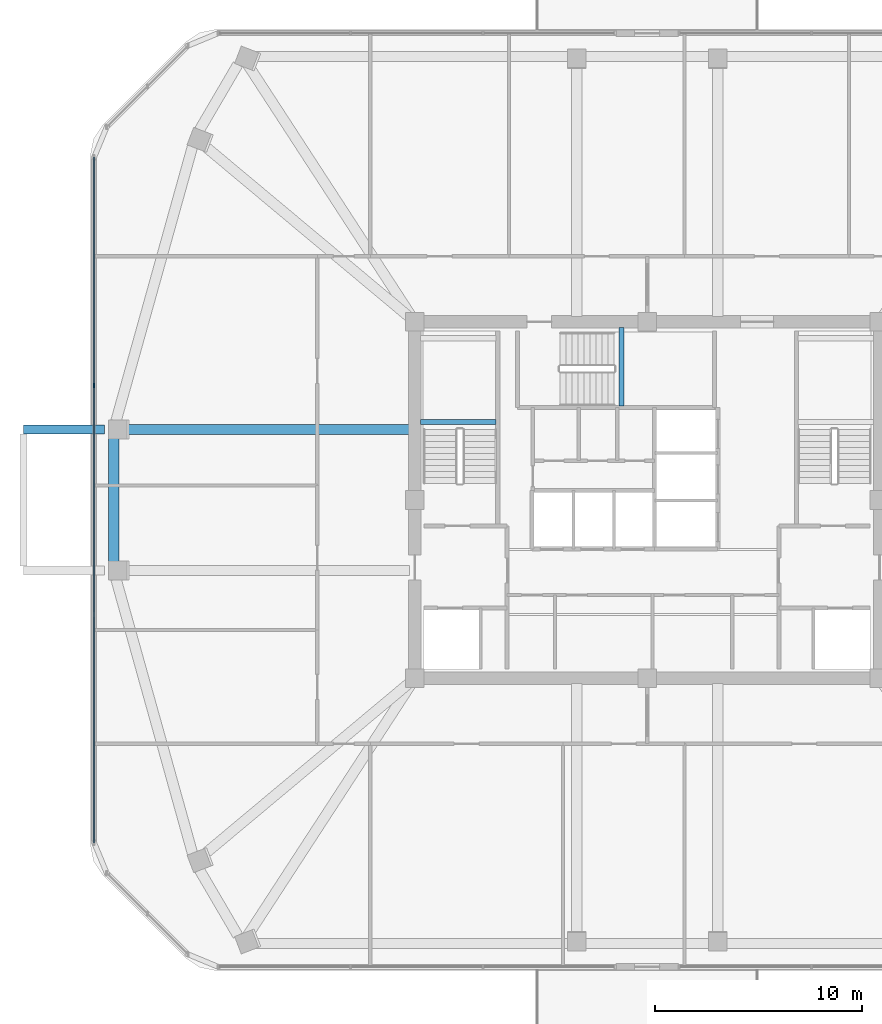
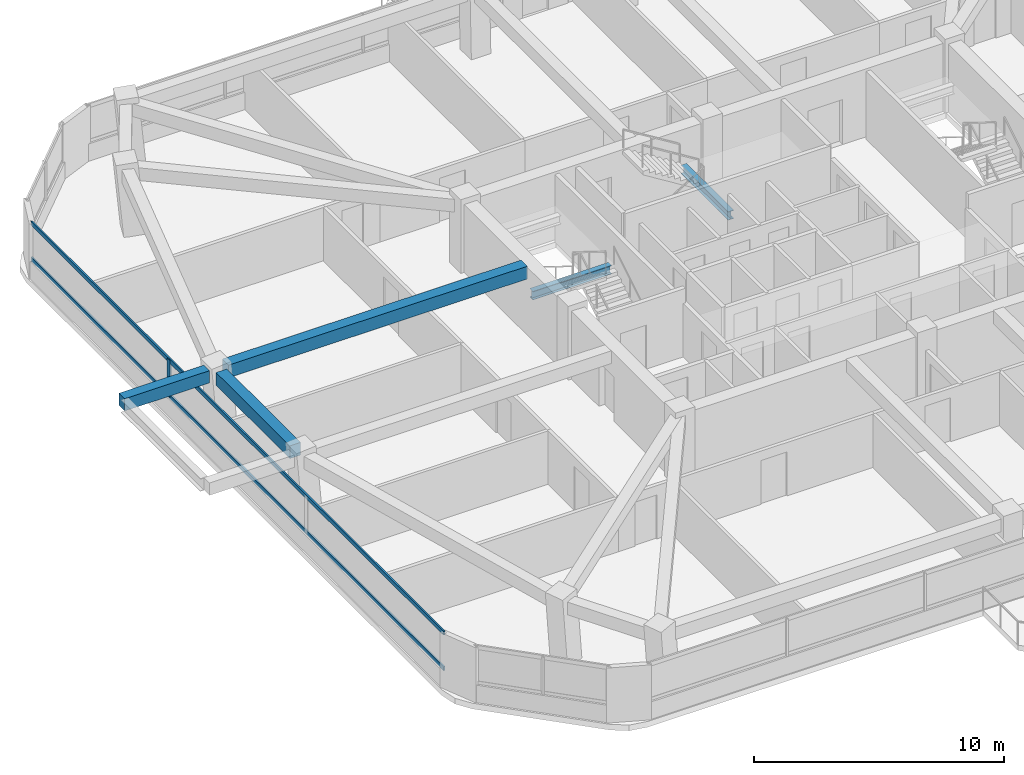
# One storey, part 3 of 13: 5 beams, 3 members, 1 element without a shape of its own.
"""IFC4 building model written with IfcOpenShell, lengths in metres."""

from ifc_helpers import new_model, si_unit, derived_unit, direction, frame, origin, origin_2d, place, context, subcontext, project, spatial, rectangle, i_section, extrude, material, material_profile, profile_set, type_object, element, aggregate, save


model = new_model("IFC4")

# Units and contexts
model_context = context("Model", 3, precision=1e-05, world=origin(), true_north=direction((0.0, 1.0)))
body_context = subcontext(model_context, "Body", "Model", "MODEL_VIEW")
ifc_project = project(units=[si_unit("LENGTHUNIT", "METRE"), si_unit("AREAUNIT", "SQUARE_METRE"), si_unit("VOLUMEUNIT", "CUBIC_METRE"), si_unit("PLANEANGLEUNIT", "RADIAN"), si_unit("MASSUNIT", "GRAM", prefix="KILO"), derived_unit("THERMALTRANSMITTANCEUNIT", [(si_unit("POWERUNIT", "WATT"), 1), (si_unit("LENGTHUNIT", "METRE"), -2), (si_unit("THERMODYNAMICTEMPERATUREUNIT", "KELVIN"), -1)])], contexts=[model_context])

# Site, building, storey
site_placement = place(None, origin())
site = spatial("IfcSite", under=ifc_project, at=site_placement, CompositionType="ELEMENT")
building_placement = place(site_placement, origin())
building = spatial("IfcBuilding", under=site, at=building_placement, Name="Koralith Skygarden Medical Center", CompositionType="ELEMENT")
storey_placement = place(building_placement, frame((0.0, 0.0, 217.97998046875)))
storey = spatial("IfcBuildingStorey", under=building, at=storey_placement, Name="L56", CompositionType="ELEMENT", Elevation=217.97998046875)

# Curtain wall, members
ifc_material_1 = material(Name="Clear Laminated Glass", Category="glass")
curtain_wall_type = type_object("IfcCurtainWallType", Name="CW-5 Zone 4 Flare Biophilic Curtain Wall", PredefinedType="NOTDEFINED", material=ifc_material_1)
curtain_wall_placement = place(storey_placement, origin())
curtain_wall = element("IfcCurtainWall", 1, at=curtain_wall_placement, inside=storey, type_object=curtain_wall_type, Name="Curtain Wall CW-L56-W", PredefinedType="NOTDEFINED")
ifc_material_2 = material(Name="Aluminium 6063-T6", Category="aluminium")
ifc_material_profile_1 = material_profile(ifc_material_2, rectangle(XDim=0.080078125, YDim=0.219970703125, at=origin_2d()), Name="MUL80X220")
ifc_profile_set_1 = profile_set([ifc_material_profile_1], Name="Aluminium 6063-T6")
member_type_1 = type_object("IfcMemberType", Name="CW-5 Extruded Mullion 80x220", PredefinedType="MULLION", material=ifc_profile_set_1)
member_1_placement = place(storey_placement, frame((10.340087890625, 31.409912109375, 0.85009765625), z_axis=(0.0, 0.0, 1.0), x_axis=(1.0, 0.0, 0.0)))
member_1 = element("IfcMember", 2, at=member_1_placement, type_object=member_type_1, Name="CW-L56-W Mullion 2", PredefinedType="MULLION", context=body_context, shape_type="SweptSolid", body=[
    extrude(rectangle(XDim=0.080078125, YDim=0.219970703125, at=origin_2d()), origin(), (0.0, 0.0, 1.0), 1.83984375),
])
ifc_material_profile_2 = material_profile(ifc_material_2, rectangle(XDim=0.074951171875, YDim=0.197998046875, at=origin_2d()), Name="TRN75X198")
ifc_profile_set_2 = profile_set([ifc_material_profile_2], Name="Aluminium 6063-T6")
member_type_2 = type_object("IfcMemberType", Name="CW-5 Thermal Transom 75x198", PredefinedType="USERDEFINED", material=ifc_profile_set_2)
member_2_placement = place(storey_placement, frame((10.340087890625, 42.428955078125, 0.89990234375), z_axis=(0.0, -1.0, 0.0), x_axis=(1.0, 0.0, 0.0)))
member_2 = element("IfcMember", 3, at=member_2_placement, type_object=member_type_2, Name="CW-L56-W Transom 1", ObjectType="TRANSOM", PredefinedType="USERDEFINED", context=body_context, shape_type="SweptSolid", body=[
    extrude(rectangle(XDim=0.074951171875, YDim=0.197998046875, at=origin_2d()), origin(), (0.0, 0.0, 1.0), 33.057861328125),
])
member_3_placement = place(storey_placement, frame((10.340087890625, 42.428955078125, 2.64013671875), z_axis=(0.0, -1.0, 0.0), x_axis=(1.0, 0.0, 0.0)))
member_3 = element("IfcMember", 4, at=member_3_placement, type_object=member_type_2, Name="CW-L56-W Transom 2", ObjectType="TRANSOM", PredefinedType="USERDEFINED", context=body_context, shape_type="SweptSolid", body=[
    extrude(rectangle(XDim=0.074951171875, YDim=0.197998046875, at=origin_2d()), origin(), (0.0, 0.0, 1.0), 33.057861328125),
])
aggregate(curtain_wall, [member_1, member_2, member_3])

# Beams
ifc_material_3 = material(Name="Steel ASTM A992 Grade 50", Category="steel")
ifc_material_profile_3 = material_profile(ifc_material_3, i_section(OverallWidth=0.260009765625, OverallDepth=0.4150390625, WebThickness=0.010009765625, FlangeThickness=0.016845703125, at=origin_2d()), Name="W16X67")
ifc_profile_set_3 = profile_set([ifc_material_profile_3], Name="Steel ASTM A992 Grade 50")
beam_type_1 = type_object("IfcBeamType", Name="Clinical Floor Joist W16X67", PredefinedType="JOIST", material=ifc_profile_set_3)
beam_1_placement = place(storey_placement, frame((26.080078125, 29.659912109375, 1.39306640625), z_axis=(1.0, 0.0, 0.0), x_axis=(0.0, 1.0, 0.0)))
element("IfcBeam", 5, at=beam_1_placement, inside=storey, type_object=beam_type_1, Name="L56 Stair ST1 Half-Landing Support Beam 1A", PredefinedType="JOIST", context=body_context, shape_type="SweptSolid", body=[
    extrude(i_section(OverallWidth=0.260009765625, OverallDepth=0.4150390625, WebThickness=0.010009765625, FlangeThickness=0.016845703125, at=origin_2d()), origin(), (0.0, 0.0, 1.0), 3.639892578125),
])
beam_2_placement = place(storey_placement, frame((35.760009765625, 30.43994140625, 1.39306640625), z_axis=(0.0, 1.0, 0.0), x_axis=(-1.0, 0.0, 0.0)))
element("IfcBeam", 6, at=beam_2_placement, inside=storey, type_object=beam_type_1, Name="L56 Stair ST3 Half-Landing Support Beam 1A", PredefinedType="JOIST", context=body_context, shape_type="SweptSolid", body=[
    extrude(i_section(OverallWidth=0.260009765625, OverallDepth=0.4150390625, WebThickness=0.010009765625, FlangeThickness=0.016845703125, at=origin_2d()), origin(), (0.0, 0.0, 1.0), 3.780029296875),
])
ifc_material_4 = material(Name="Concrete C45/55", Category="concrete")
ifc_material_profile_4 = material_profile(ifc_material_4, rectangle(XDim=0.449951171875, YDim=0.60009765625, at=origin_2d()), Name="RCB450X600")
ifc_profile_set_4 = profile_set([ifc_material_profile_4], Name="Concrete C45/55")
beam_type_2 = type_object("IfcBeamType", Name="Planted Balcony Cantilever Beam RCB450X600", PredefinedType="BEAM", material=ifc_profile_set_4)
beam_3_placement = place(storey_placement, frame((10.847900390625, 29.300048828125, 3.0400390625), z_axis=(-1.0, 0.0, 0.0), x_axis=(0.0, -1.0, 0.0)))
element("IfcBeam", 7, at=beam_3_placement, inside=storey, type_object=beam_type_2, Name="L57 W Balcony Cantilever Beam B", PredefinedType="BEAM", context=body_context, shape_type="SweptSolid", body=[
    extrude(rectangle(XDim=0.449951171875, YDim=0.60009765625, at=origin_2d()), origin(), (0.0, 0.0, 1.0), 3.919921875),
])
ifc_material_profile_5 = material_profile(ifc_material_4, rectangle(XDim=0.5, YDim=0.6201171875, at=origin_2d()), Name="RCB500X620")
ifc_profile_set_5 = profile_set([ifc_material_profile_5], Name="Concrete C45/55")
beam_type_3 = type_object("IfcBeamType", Name="Upper Radial Collector Beam RCB500X620", PredefinedType="BEAM", material=ifc_profile_set_5)
beam_4_placement = place(storey_placement, frame((25.550048828125, 29.300048828125, 3.010009765625), z_axis=(-1.0, 0.0, 0.0), x_axis=(0.0, -1.0, 0.0)))
element("IfcBeam", 8, at=beam_4_placement, inside=storey, type_object=beam_type_3, Name="L56 Radial Collector Beam RB-16", PredefinedType="BEAM", context=body_context, shape_type="SweptSolid", body=[
    extrude(rectangle(XDim=0.5, YDim=0.6201171875, at=origin_2d()), origin(), (0.0, 0.0, 1.0), 13.83203125),
])
ifc_material_profile_6 = material_profile(ifc_material_4, rectangle(XDim=0.5, YDim=0.6201171875, at=origin_2d()), Name="RCB500X620")
ifc_profile_set_6 = profile_set([ifc_material_profile_6], Name="Concrete C45/55")
beam_type_4 = type_object("IfcBeamType", Name="Zone 4-5 Spandrel Beam RCB500X620", PredefinedType="SPANDREL", material=ifc_profile_set_6)
beam_5_placement = place(storey_placement, frame((11.278076171875, 28.860107421875, 3.010009765625), z_axis=(0.0, -1.0, 0.0), x_axis=(1.0, 0.0, 0.0)))
element("IfcBeam", 9, at=beam_5_placement, inside=storey, type_object=beam_type_4, Name="L56 Perimeter Spandrel Beam SP-16", PredefinedType="SPANDREL", context=body_context, shape_type="SweptSolid", body=[
    extrude(rectangle(XDim=0.5, YDim=0.6201171875, at=origin_2d()), origin(), (0.0, 0.0, 1.0), 5.920166015625),
])

save(model, "model.ifc")
